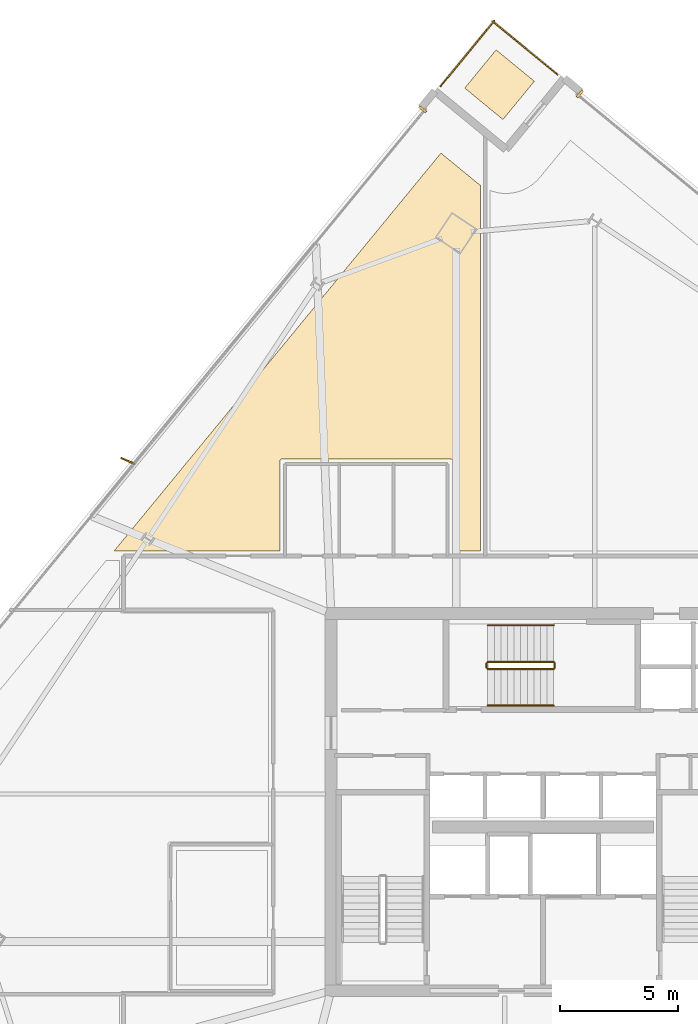
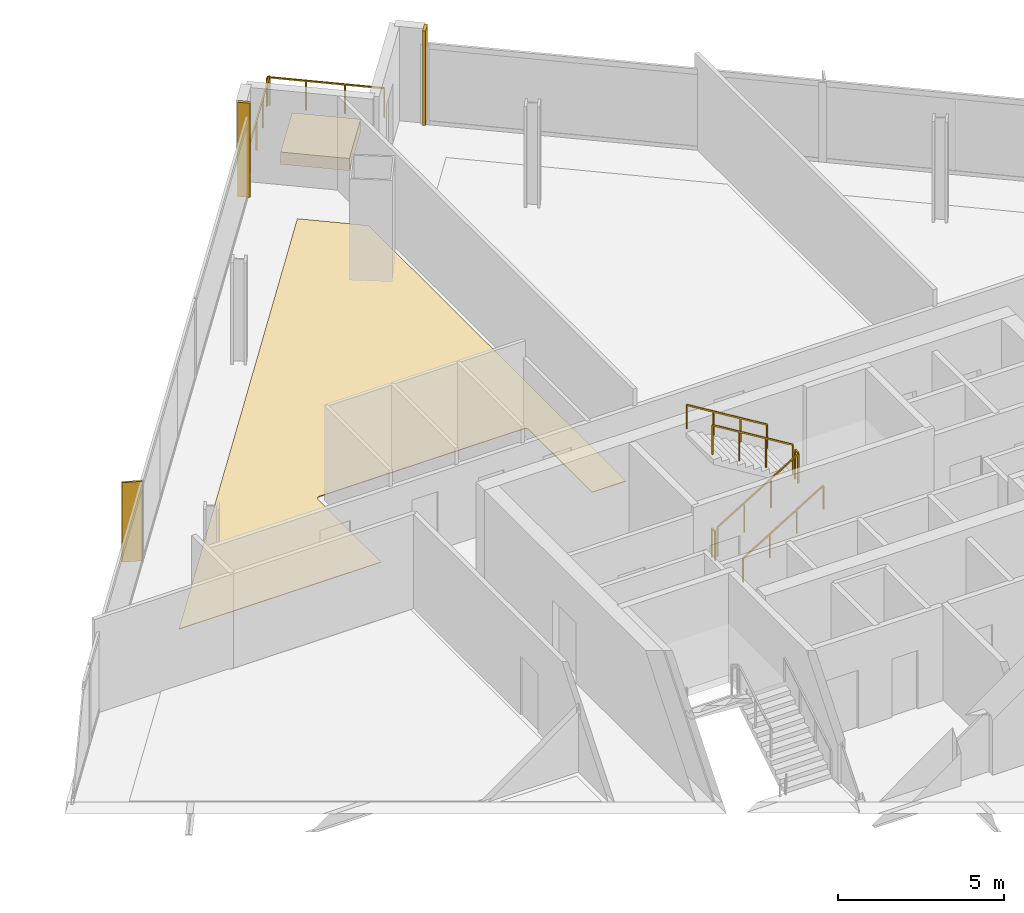
# One storey, part 27 of 28: 8 railings, 4 coverings, 1 shading device.
"""IFC4 building model written with IfcOpenShell, lengths in metres."""

from ifc_helpers import new_model, si_unit, direction, frame, origin, origin_2d, place, context, subcontext, project, spatial, polyline, rectangle, outline, extrude, source, transform, mapped, material, layer, layer_set, type_object, element, save


model = new_model("IFC4")

# Units and contexts
model_context = context("Model", 3, precision=1e-05, world=origin(), true_north=direction((0.0, 1.0)))
body_context = subcontext(model_context, "Body", "Model", "MODEL_VIEW")
ifc_project = project(units=[si_unit("LENGTHUNIT", "METRE"), si_unit("AREAUNIT", "SQUARE_METRE"), si_unit("VOLUMEUNIT", "CUBIC_METRE"), si_unit("PLANEANGLEUNIT", "RADIAN"), si_unit("MASSUNIT", "GRAM", prefix="KILO")], contexts=[model_context])

# Site, building, storey
site_placement = place(None, origin())
site = spatial("IfcSite", under=ifc_project, at=site_placement, CompositionType="ELEMENT")
building_placement = place(site_placement, origin())
building = spatial("IfcBuilding", under=site, at=building_placement, Name="Haldenkirk Collegiate Tower", CompositionType="ELEMENT")
storey_placement = place(building_placement, frame((0.0, 0.0, 198.449951171875)))
storey = spatial("IfcBuildingStorey", under=building, at=storey_placement, Name="L49", CompositionType="ELEMENT", Elevation=198.449951171875)

# Coverings
ifc_material_1 = material(Name="Engineered collegiate oak acoustic flooring", Category="wood")
ifc_layer_1 = layer(ifc_material_1, 0.02197265625)
ifc_layer_set_1 = layer_set([ifc_layer_1], Name="Engineered collegiate oak acoustic flooring")
covering_type_1 = type_object("IfcCoveringType", Name="COV-FLOOR-TIMBER", PredefinedType="FLOORING", material=ifc_layer_set_1)
covering_1_placement = place(storey_placement, origin())
element("IfcCovering", 1, at=covering_1_placement, inside=storey, type_object=covering_type_1, Name="L49 academic room finish 07", PredefinedType="FLOORING", context=body_context, shape_type="SweptSolid", body=[
    extrude(outline(polyline([(33.234130859375, 52.251708984375), (33.23876953125, 52.248046875), (33.35009765625, 52.16552734375), (33.35009765625, 36.64990234375), (32.169921875, 36.64990234375), (32.169921875, 40.449951171875), (32.16943359375, 40.4619140625), (32.167724609375, 40.473388671875), (32.164794921875, 40.48486328125), (32.160888671875, 40.495849609375), (32.15576171875, 40.506591796875), (32.14990234375, 40.5166015625), (32.142822265625, 40.526123046875), (32.135009765625, 40.534912109375), (32.126220703125, 40.542724609375), (32.11669921875, 40.5498046875), (32.106689453125, 40.555908203125), (32.095947265625, 40.560791015625), (32.084716796875, 40.564697265625), (32.073486328125, 40.567626953125), (32.061767578125, 40.5693359375), (32.050048828125, 40.570068359375), (24.949951171875, 40.570068359375), (24.938232421875, 40.5693359375), (24.926513671875, 40.567626953125), (24.915283203125, 40.564697265625), (24.904052734375, 40.560791015625), (24.893310546875, 40.555908203125), (24.88330078125, 40.5498046875), (24.873779296875, 40.542724609375), (24.864990234375, 40.534912109375), (24.857177734375, 40.526123046875), (24.85009765625, 40.5166015625), (24.84423828125, 40.506591796875), (24.839111328125, 40.495849609375), (24.835205078125, 40.48486328125), (24.832275390625, 40.473388671875), (24.83056640625, 40.4619140625), (24.830078125, 40.449951171875), (24.830078125, 36.64990234375), (17.791748046875, 36.64990234375), (31.66552734375, 53.5400390625), (33.234130859375, 52.251708984375)])), origin(), (0.0, 0.0, 1.0), 0.02197265625),
])
ifc_material_2 = material(Name="Precast concrete f'c 40 MPa", Category="concrete")
ifc_layer_2 = layer(ifc_material_2, 0.449951171875)
ifc_layer_set_2 = layer_set([ifc_layer_2], Name="Precast concrete f'c 40 MPa")
covering_type_2 = type_object("IfcCoveringType", Name="COV-PLANTER-450", PredefinedType="USERDEFINED", material=ifc_layer_set_2)
covering_2_placement = place(storey_placement, origin())
element("IfcCovering", 2, at=covering_2_placement, inside=storey, type_object=covering_type_2, Name="L49 planted garden planter bed", ObjectType="PLANTER", PredefinedType="USERDEFINED", context=body_context, shape_type="SweptSolid", body=[
    extrude(outline(polyline([(34.296875, 54.96337890625), (32.67431640625, 56.29638671875), (34.007080078125, 57.919189453125), (35.6298828125, 56.586181640625), (34.296875, 54.96337890625)])), origin(), (0.0, 0.0, 1.0), 0.449951171875),
])

# Railings
ifc_material_3 = material(Name="Painted architectural tubular steel", Category="steel")
railing_type_1 = type_object("IfcRailingType", Name="RLG-STAIR-GUARD-1100", PredefinedType="BALUSTRADE", material=ifc_material_3)
railing_1_placement = place(storey_placement, frame((33.64990234375, 31.64990234375, 0.17041015625)))
element("IfcRailing", 3, at=railing_1_placement, inside=storey, type_object=railing_type_1, Name="L49 ST-3 stair guard 1", PredefinedType="BALUSTRADE", context=body_context, shape_type="SweptSolid", body=[
    extrude(rectangle(XDim=0.048095703125, YDim=0.048095703125, at=origin_2d()), frame((0.0, 0.0, 1.076171875), z_axis=(0.854169791009, 0.0, 0.51999420009), x_axis=(0.0, 1.0, 0.0)), (0.0, 0.0, 1.0), 3.278076171875),
    extrude(rectangle(XDim=0.0419921875, YDim=0.0419921875, at=origin_2d()), origin(), (0.0, 0.0, 1.0), 1.052001953125),
    extrude(rectangle(XDim=0.0419921875, YDim=0.0419921875, at=origin_2d()), frame((0.933349609375, 0.0, 0.568115234375)), (0.0, 0.0, 1.0), 1.052001953125),
    extrude(rectangle(XDim=0.0419921875, YDim=0.0419921875, at=origin_2d()), frame((1.86669921875, 0.0, 1.136474609375)), (0.0, 0.0, 1.0), 1.052001953125),
    extrude(rectangle(XDim=0.0419921875, YDim=0.0419921875, at=origin_2d()), frame((2.800048828125, 0.0, 1.70458984375)), (0.0, 0.0, 1.0), 1.052001953125),
])
railing_2_placement = place(storey_placement, frame((36.5, 31.699951171875, 1.875)))
element("IfcRailing", 4, at=railing_2_placement, inside=storey, type_object=railing_type_1, Name="L49 ST-3 stair guard 2", PredefinedType="BALUSTRADE", context=body_context, shape_type="SweptSolid", body=[
    extrude(rectangle(XDim=0.048095703125, YDim=0.048095703125, at=origin_2d()), frame((0.0, 0.0, 1.076171875), z_axis=(0.0, 1.0, 0.0), x_axis=(-1.0, 0.0, 0.0)), (0.0, 0.0, 1.0), 0.199951171875),
    extrude(rectangle(XDim=0.0419921875, YDim=0.0419921875, at=origin_2d()), origin(), (0.0, 0.0, 1.0), 1.052001953125),
    extrude(rectangle(XDim=0.0419921875, YDim=0.0419921875, at=origin_2d()), frame((0.0, 0.199951171875, 0.0)), (0.0, 0.0, 1.0), 1.052001953125),
])
railing_3_placement = place(storey_placement, frame((36.449951171875, 31.949951171875, 2.04541015625)))
element("IfcRailing", 5, at=railing_3_placement, inside=storey, type_object=railing_type_1, Name="L49 ST-3 stair guard 3", PredefinedType="BALUSTRADE", context=body_context, shape_type="SweptSolid", body=[
    extrude(rectangle(XDim=0.048095703125, YDim=0.048095703125, at=origin_2d()), frame((0.0, 0.0, 1.076171875), z_axis=(-0.854169791009, 0.0, 0.51999420009), x_axis=(0.0, -1.0, 0.0)), (0.0, 0.0, 1.0), 3.278076171875),
    extrude(rectangle(XDim=0.0419921875, YDim=0.0419921875, at=origin_2d()), origin(), (0.0, 0.0, 1.0), 1.052001953125),
    extrude(rectangle(XDim=0.0419921875, YDim=0.0419921875, at=origin_2d()), frame((-0.933349609375, 0.0, 0.568115234375)), (0.0, 0.0, 1.0), 1.052001953125),
    extrude(rectangle(XDim=0.0419921875, YDim=0.0419921875, at=origin_2d()), frame((-1.86669921875, 0.0, 1.136474609375)), (0.0, 0.0, 1.0), 1.052001953125),
    extrude(rectangle(XDim=0.0419921875, YDim=0.0419921875, at=origin_2d()), frame((-2.800048828125, 0.0, 1.70458984375)), (0.0, 0.0, 1.0), 1.052001953125),
])
railing_4_placement = place(storey_placement, frame((33.60009765625, 31.699951171875, 0.0)))
element("IfcRailing", 6, at=railing_4_placement, inside=storey, type_object=railing_type_1, Name="L49 ST-3 stair guard 4", PredefinedType="BALUSTRADE", context=body_context, shape_type="SweptSolid", body=[
    extrude(rectangle(XDim=0.048095703125, YDim=0.048095703125, at=origin_2d()), frame((0.0, 0.0, 1.076171875), z_axis=(0.0, 1.0, 0.0), x_axis=(-1.0, 0.0, 0.0)), (0.0, 0.0, 1.0), 0.199951171875),
    extrude(rectangle(XDim=0.0419921875, YDim=0.0419921875, at=origin_2d()), origin(), (0.0, 0.0, 1.0), 1.052001953125),
    extrude(rectangle(XDim=0.0419921875, YDim=0.0419921875, at=origin_2d()), frame((0.0, 0.199951171875, 0.0)), (0.0, 0.0, 1.0), 1.052001953125),
])
railing_type_2 = type_object("IfcRailingType", Name="RLG-STAIR-HANDRAIL-900", PredefinedType="HANDRAIL", material=ifc_material_3)
railing_5_placement = place(storey_placement, frame((33.64990234375, 30.10009765625, 0.17041015625)))
element("IfcRailing", 7, at=railing_5_placement, inside=storey, type_object=railing_type_2, Name="L49 ST-3 stair handrail 1", PredefinedType="HANDRAIL", context=body_context, shape_type="SweptSolid", body=[
    extrude(rectangle(XDim=0.048095703125, YDim=0.048095703125, at=origin_2d()), frame((0.0, 0.0, 0.8759765625), z_axis=(0.854169791009, 0.0, 0.51999420009), x_axis=(0.0, 1.0, 0.0)), (0.0, 0.0, 1.0), 3.278076171875),
    extrude(rectangle(XDim=0.0419921875, YDim=0.0419921875, at=origin_2d()), origin(), (0.0, 0.0, 1.0), 0.851806640625),
    extrude(rectangle(XDim=0.0419921875, YDim=0.0419921875, at=origin_2d()), frame((0.933349609375, 0.0, 0.568115234375)), (0.0, 0.0, 1.0), 0.851806640625),
    extrude(rectangle(XDim=0.0419921875, YDim=0.0419921875, at=origin_2d()), frame((1.86669921875, 0.0, 1.136474609375)), (0.0, 0.0, 1.0), 0.851806640625),
    extrude(rectangle(XDim=0.0419921875, YDim=0.0419921875, at=origin_2d()), frame((2.800048828125, 0.0, 1.70458984375)), (0.0, 0.0, 1.0), 0.851806640625),
])
railing_6_placement = place(storey_placement, frame((36.449951171875, 33.5, 2.04541015625)))
element("IfcRailing", 8, at=railing_6_placement, inside=storey, type_object=railing_type_2, Name="L49 ST-3 stair handrail 2", PredefinedType="HANDRAIL", context=body_context, shape_type="SweptSolid", body=[
    extrude(rectangle(XDim=0.048095703125, YDim=0.048095703125, at=origin_2d()), frame((0.0, 0.0, 0.8759765625), z_axis=(-0.854169791009, 0.0, 0.51999420009), x_axis=(0.0, -1.0, 0.0)), (0.0, 0.0, 1.0), 3.278076171875),
    extrude(rectangle(XDim=0.0419921875, YDim=0.0419921875, at=origin_2d()), origin(), (0.0, 0.0, 1.0), 0.851806640625),
    extrude(rectangle(XDim=0.0419921875, YDim=0.0419921875, at=origin_2d()), frame((-0.933349609375, 0.0, 0.568115234375)), (0.0, 0.0, 1.0), 0.851806640625),
    extrude(rectangle(XDim=0.0419921875, YDim=0.0419921875, at=origin_2d()), frame((-1.86669921875, 0.0, 1.136474609375)), (0.0, 0.0, 1.0), 0.851806640625),
    extrude(rectangle(XDim=0.0419921875, YDim=0.0419921875, at=origin_2d()), frame((-2.800048828125, 0.0, 1.70458984375)), (0.0, 0.0, 1.0), 0.851806640625),
])
ifc_material_4 = material(Name="Anodised architectural bronze aluminium", Category="aluminium")
railing_type_3 = type_object("IfcRailingType", Name="RLG-TERR-BALUSTRADE-1100", PredefinedType="BALUSTRADE", material=ifc_material_4)
railing_7_placement = place(storey_placement, frame((36.611083984375, 56.8671875, 0.0)))
element("IfcRailing", 9, at=railing_7_placement, inside=storey, type_object=railing_type_3, Name="L49 terrace guard balustrade 2-1", PredefinedType="BALUSTRADE", context=body_context, shape_type="SweptSolid", body=[
    extrude(rectangle(XDim=0.048095703125, YDim=0.048095703125, at=origin_2d()), frame((0.0, 0.0, 1.076171875), z_axis=(-0.772746562771, 0.634714699472, 0.0), x_axis=(-0.634714699472, -0.772746562771, 0.0)), (0.0, 0.0, 1.0), 3.579833984375),
    extrude(rectangle(XDim=0.0419921875, YDim=0.0419921875, at=origin_2d()), origin(), (0.0, 0.0, 1.0), 1.052001953125),
    extrude(rectangle(XDim=0.0419921875, YDim=0.0419921875, at=origin_2d()), frame((-0.922119140625, 0.75732421875, 0.0)), (0.0, 0.0, 1.0), 1.052001953125),
    extrude(rectangle(XDim=0.0419921875, YDim=0.0419921875, at=origin_2d()), frame((-1.84423828125, 1.514892578125, 0.0)), (0.0, 0.0, 1.0), 1.052001953125),
    extrude(rectangle(XDim=0.0419921875, YDim=0.0419921875, at=origin_2d()), frame((-2.766357421875, 2.272216796875, 0.0)), (0.0, 0.0, 1.0), 1.052001953125),
])
railing_8_placement = place(storey_placement, frame((33.92919921875, 59.147705078125, 0.0)))
element("IfcRailing", 10, at=railing_8_placement, inside=storey, type_object=railing_type_3, Name="L49 terrace guard balustrade 3-1", PredefinedType="BALUSTRADE", context=body_context, shape_type="SweptSolid", body=[
    extrude(rectangle(XDim=0.048095703125, YDim=0.048095703125, at=origin_2d()), frame((0.0, 0.0, 1.076171875), z_axis=(-0.634714699472, -0.772746562771, 0.0), x_axis=(0.772746562771, -0.634714699472, 0.0)), (0.0, 0.0, 1.0), 3.579833984375),
    extrude(rectangle(XDim=0.0419921875, YDim=0.0419921875, at=origin_2d()), origin(), (0.0, 0.0, 1.0), 1.052001953125),
    extrude(rectangle(XDim=0.0419921875, YDim=0.0419921875, at=origin_2d()), frame((-0.75732421875, -0.922119140625, 0.0)), (0.0, 0.0, 1.0), 1.052001953125),
    extrude(rectangle(XDim=0.0419921875, YDim=0.0419921875, at=origin_2d()), frame((-1.514892578125, -1.84423828125, 0.0)), (0.0, 0.0, 1.0), 1.052001953125),
    extrude(rectangle(XDim=0.0419921875, YDim=0.0419921875, at=origin_2d()), frame((-2.272216796875, -2.766357421875, 0.0)), (0.0, 0.0, 1.0), 1.052001953125),
])

# Coverings
ifc_layer_3 = layer(ifc_material_4, 0.06005859375)
ifc_layer_set_3 = layer_set([ifc_layer_3], Name="Anodised architectural bronze aluminium")
covering_type_3 = type_object("IfcCoveringType", Name="COV-CLAD-BRONZE-60", PredefinedType="CLADDING", material=ifc_layer_set_3)
shared_shape_1 = source(origin(), body_context, "Body", "SweptSolid", [
    extrude(rectangle(XDim=0.10009765625, YDim=0.3798828125, at=origin_2d()), origin(), (0.0, 0.0, 1.0), 3.469970703125),
])
for number, where, z_axis, x_axis, name in (
    (11, (37.55810546875, 56.050537109375, 0.0), (0.0, 0.0, 1.0), (0.772733573497, -0.634730513202, 0.0), "L49 recessed curtain-wall bronze jamb closure EJL"),
    (12, (30.88671875, 55.396240234375, 0.0), (0.0, 0.0, 1.0), (0.634730513202, 0.772733573497, 0.0), "L49 recessed curtain-wall bronze jamb closure NJR"),
):
    element("IfcCovering", number, at=place(storey_placement, frame(where, z_axis=z_axis, x_axis=x_axis)), inside=storey, type_object=covering_type_3, Name=name, PredefinedType="CLADDING", context=body_context, shape_type="MappedRepresentation", body=[
        mapped(shared_shape_1, transform((0.0, 0.0, 0.0), x_axis=(1.0, 0.0, 0.0), y_axis=(0.0, 1.0, 0.0), z_axis=(0.0, 0.0, 1.0), scale=1.0)),
    ])

# Shading device
ifc_layer_4 = layer(ifc_material_4, 0.06494140625)
ifc_layer_set_4 = layer_set([ifc_layer_4], Name="Anodised architectural bronze aluminium")
shading_device_type = type_object("IfcShadingDeviceType", Name="SHD-FIN-BRONZE-620", PredefinedType="USERDEFINED", material=ifc_layer_set_4)
shared_shape_2 = source(origin(), body_context, "Body", "SweptSolid", [
    extrude(rectangle(XDim=0.6201171875, YDim=0.06494140625, at=origin_2d()), origin(), (0.0, 0.0, 1.0), 2.927978515625),
])
shading_device_placement = place(storey_placement, frame((18.3701171875, 40.481201171875, 0.0), z_axis=(0.0, 0.0, 1.0), x_axis=(-0.917754625684, 0.397147890635, 0.0)))
element("IfcShadingDevice", 13, at=shading_device_placement, inside=storey, type_object=shading_device_type, Name="L49 folded bronze solar fin 1", ObjectType="FIN", PredefinedType="USERDEFINED", context=body_context, shape_type="MappedRepresentation", body=[
    mapped(shared_shape_2, transform((0.0, 0.0, 0.0), x_axis=(1.0, 0.0, 0.0), y_axis=(0.0, 1.0, 0.0), z_axis=(0.0, 0.0, 1.0), scale=1.0)),
])

save(model, "model.ifc")
